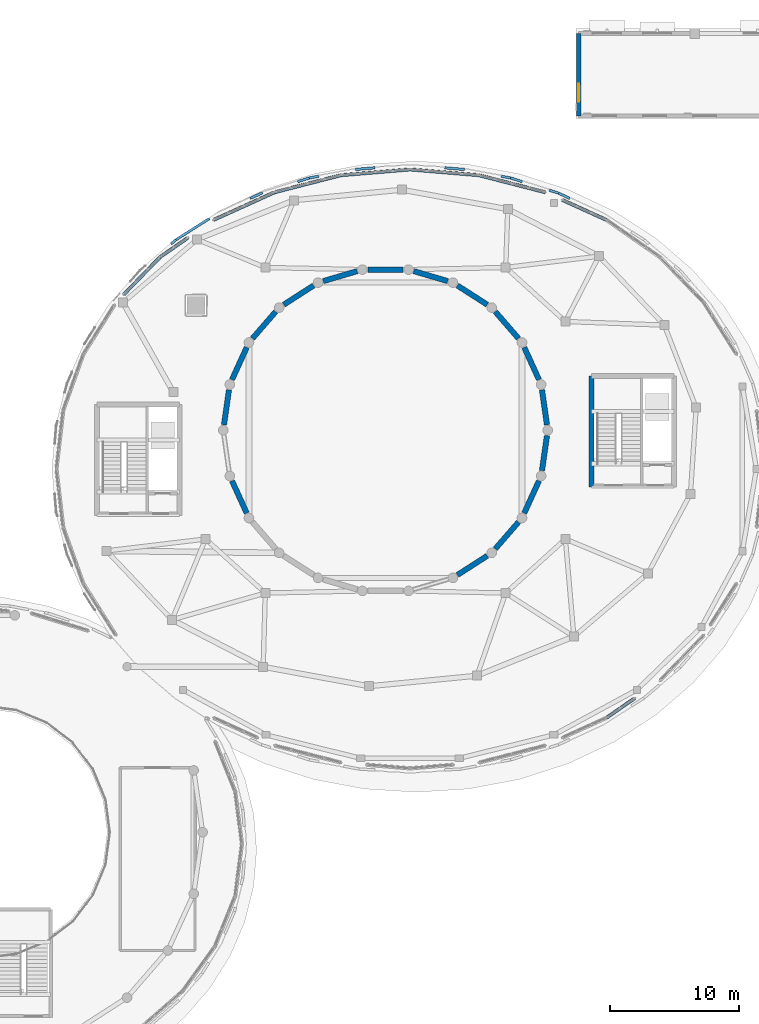
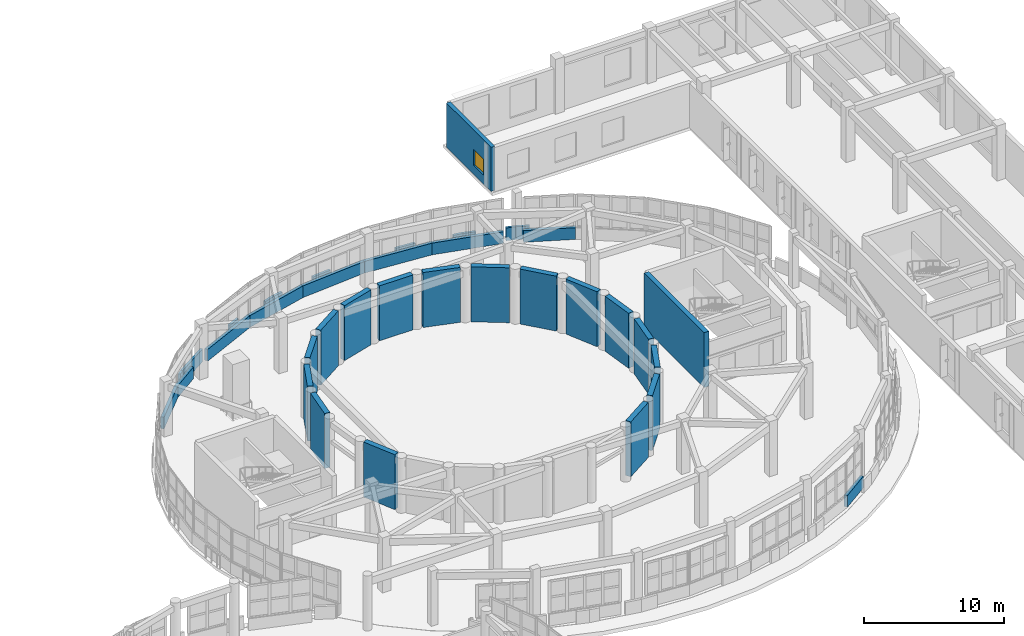
# One storey, part 79 of 98: 38 walls, 1 window, 1 opening.
"""IFC4 building model written with IfcOpenShell, lengths in metres."""

import ifcopenshell
import ifcopenshell.guid

model = None  # the IFC model being written
_history = None  # IfcOwnerHistory: only IFC2X3 demands one
_inside = {}  # id of a spatial element -> (the spatial element, [elements in it])
_under = {}  # id of a project, library or spatial element -> (it, [spatial elements below it])
_declared = {}  # id of a project -> (the project, [libraries it declares])
_typed = {}  # id of a type object -> (the type object, [elements of that type])
_made_of = {}  # id of a material, layer set ... -> (it, [elements and type objects made of it])


def new_model(schema):
    """Start an empty IFC model of exactly this schema.

    Asked for "IFC4X3", IfcOpenShell would pick the latest addendum, in which some entities
    have other attributes; the version numbers below select the first issue.
    IFC2X3 requires an IfcOwnerHistory on every rooted entity: one is made here for all.
    """
    global model, _history
    if schema == "IFC4X3":
        model = ifcopenshell.file(schema_version=(4, 3, 0, 0))
    else:
        model = ifcopenshell.file(schema=schema)
    _inside.clear()
    _under.clear()
    _declared.clear()
    _typed.clear()
    _made_of.clear()
    _history = None
    if model.schema == "IFC2X3":
        org = make("IfcOrganization", Name="unknown")
        user = make(
            "IfcPersonAndOrganization",
            ThePerson=make("IfcPerson", FamilyName="unknown"),
            TheOrganization=org,
        )
        app = make(
            "IfcApplication",
            ApplicationDeveloper=org,
            Version="unknown",
            ApplicationFullName="unknown",
            ApplicationIdentifier="unknown",
        )
        _history = make(
            "IfcOwnerHistory",
            OwningUser=user,
            OwningApplication=app,
            ChangeAction="ADDED",
            CreationDate=0,
        )
    return model


def make(cls, **values):
    """One entity of the class cls with the attributes given. An attribute that is None is left unset."""
    return model.create_entity(
        cls, **{name: value for name, value in values.items() if value is not None}
    )


def rooted(cls, **values):
    """An entity with a GlobalId (a new one), such as an element, a storey or a relation."""
    return make(cls, GlobalId=ifcopenshell.guid.new(), OwnerHistory=_history, **values)


def si_unit(unit_type, name, prefix=None):
    """IfcSIUnit, for example si_unit("LENGTHUNIT", "METRE", prefix="MILLI")."""
    return make("IfcSIUnit", UnitType=unit_type, Prefix=prefix, Name=name)


def assignment(units):
    """IfcUnitAssignment: the units of a project."""
    return None if units is None else make("IfcUnitAssignment", Units=units)


def point(xyz):
    """IfcCartesianPoint."""
    return None if xyz is None else make("IfcCartesianPoint", Coordinates=xyz)


def direction(xyz):
    """IfcDirection."""
    return None if xyz is None else make("IfcDirection", DirectionRatios=xyz)


def frame(location, z_axis=None, x_axis=None):
    """IfcAxis2Placement3D, a coordinate frame: its origin and axes. An axis left out is left unset."""
    return make(
        "IfcAxis2Placement3D",
        Location=point(location),
        Axis=direction(z_axis),
        RefDirection=direction(x_axis),
    )


def frame_2d(location, x_axis=None):
    """IfcAxis2Placement2D, a coordinate frame in the plane: its origin and x axis."""
    return make(
        "IfcAxis2Placement2D", Location=point(location), RefDirection=direction(x_axis)
    )


def origin():
    """The frame at (0, 0, 0) with its axes left unset."""
    return frame((0.0, 0.0, 0.0))


def place(relative_to, where):
    """IfcLocalPlacement: puts the frame where relative to a parent placement (None: the world)."""
    return make(
        "IfcLocalPlacement", PlacementRelTo=relative_to, RelativePlacement=where
    )


def context(
    kind, dimensions, precision=None, world=None, true_north=None, identifier=None
):
    """IfcGeometricRepresentationContext, for example the 3D "Model" context."""
    return make(
        "IfcGeometricRepresentationContext",
        ContextIdentifier=identifier,
        ContextType=kind,
        CoordinateSpaceDimension=dimensions,
        Precision=precision,
        WorldCoordinateSystem=world,
        TrueNorth=true_north,
    )


def subcontext(parent, identifier, kind, view, scale=None):
    """IfcGeometricRepresentationSubContext, for example "Body" below "Model"."""
    return make(
        "IfcGeometricRepresentationSubContext",
        ContextIdentifier=identifier,
        ContextType=kind,
        ParentContext=parent,
        TargetScale=scale,
        TargetView=view,
    )


def project(units=None, contexts=None):
    """IfcProject with its units and contexts."""
    return rooted(
        "IfcProject",
        Name="project",
        RepresentationContexts=contexts,
        UnitsInContext=assignment(units),
    )


def spatial(cls, under=None, at=None, **own):
    """A site, building, storey or space (cls), placed at a placement, below another one or the project."""
    s = rooted(cls, ObjectPlacement=at, **own)
    if under is not None:
        _under.setdefault(under.id(), (under, []))[1].append(s)
    return s


def profile(cls, at=None, kind="AREA", **sizes):
    """A parametric profile (cls). Its sizes go by their IFC names, for example OverallWidth=200.0."""
    return make(cls, ProfileType=kind, Position=at, **sizes)


def rectangle(**sizes):
    """IfcRectangleProfileDef."""
    return profile("IfcRectangleProfileDef", **sizes)


def extrude(swept, where, along, depth):
    """IfcExtrudedAreaSolid: the profile swept, set in the frame where, extruded along a direction by depth."""
    return make(
        "IfcExtrudedAreaSolid",
        SweptArea=swept,
        Position=where,
        ExtrudedDirection=direction(along),
        Depth=depth,
    )


def shape(context_of_items, identifier, shape_type, items):
    """IfcShapeRepresentation: the items that make up one representation, for example the "Body"."""
    return make(
        "IfcShapeRepresentation",
        ContextOfItems=context_of_items,
        RepresentationIdentifier=identifier,
        RepresentationType=shape_type,
        Items=items,
    )


def material(Name=None, Category=None):
    """IfcMaterial."""
    return make("IfcMaterial", Name=Name, Category=Category)


def layer(
    of_material, thickness, ventilated=None, Name=None, Category=None, Priority=None
):
    """IfcMaterialLayer: one layer of a wall or slab, of a material (None: an air gap)."""
    return make(
        "IfcMaterialLayer",
        Material=of_material,
        LayerThickness=thickness,
        IsVentilated=ventilated,
        Name=Name,
        Category=Category,
        Priority=Priority,
    )


def layer_set(layers, Name=None):
    """IfcMaterialLayerSet."""
    return make("IfcMaterialLayerSet", MaterialLayers=layers, LayerSetName=Name)


def made_of(thing, what):
    """Note that an element or type object is made of a material, layer set ...; save() writes the relation."""
    if what is not None:
        _made_of.setdefault(what.id(), (what, []))[1].append(thing)
    return thing


def type_object(cls, material=None, **own):
    """A type object (cls), such as IfcWallType, which elements share."""
    return made_of(rooted(cls, **own), material)


def element(
    cls,
    number,
    at=None,
    inside=None,
    cuts=None,
    type_object=None,
    material=None,
    context=None,
    identifier="Body",
    shape_type=None,
    held_by="IfcProductDefinitionShape",
    body=None,
    shapes=None,
    **own,
):
    """One element of the class cls, such as IfcWall. Its Tag is "e" and its number.

    at: its placement. inside: the storey or other place that contains it. cuts: it is an
    opening in that element (IfcRelVoidsElement). A single representation is given by context,
    identifier, shape_type and body (its items); several are given by shapes. held_by: the class
    of the entity that holds the representations. save() writes the other relations.
    """
    e = rooted(cls, Tag="e%d" % number, ObjectPlacement=at, **own)
    if body is not None:
        shapes = [shape(context, identifier, shape_type, body)]
    if shapes is not None:
        e.Representation = make(held_by, Representations=shapes)
    if inside is not None:
        _inside.setdefault(inside.id(), (inside, []))[1].append(e)
    if cuts is not None:
        rooted(
            "IfcRelVoidsElement", RelatingBuildingElement=cuts, RelatedOpeningElement=e
        )
    if type_object is not None:
        _typed.setdefault(type_object.id(), (type_object, []))[1].append(e)
    return made_of(e, material)


def fill(opening, filler):
    """IfcRelFillsElement: the door or window that sits in an opening."""
    return rooted(
        "IfcRelFillsElement",
        RelatingOpeningElement=opening,
        RelatedBuildingElement=filler,
    )


def aggregate(whole, parts):
    """IfcRelAggregates: a whole, such as a stair, and the parts it consists of."""
    return rooted("IfcRelAggregates", RelatingObject=whole, RelatedObjects=parts)


def save(model, path):
    """Write the relations noted so far, then the file.

    IfcRelAggregates (storeys below a building ...), IfcRelContainedInSpatialStructure (elements
    in a storey), IfcRelDefinesByType, IfcRelAssociatesMaterial and IfcRelDeclares: one each for
    every whole, place, type object, material and project.
    """
    for whole, parts in _under.values():
        aggregate(whole, parts)
    for where, things in _inside.values():
        rooted(
            "IfcRelContainedInSpatialStructure",
            RelatedElements=things,
            RelatingStructure=where,
        )
    for kind, things in _typed.values():
        rooted("IfcRelDefinesByType", RelatedObjects=things, RelatingType=kind)
    for what, things in _made_of.values():
        rooted("IfcRelAssociatesMaterial", RelatedObjects=things, RelatingMaterial=what)
    for by, libraries in _declared.values():
        rooted("IfcRelDeclares", RelatingContext=by, RelatedDefinitions=libraries)
    model.write(path)


model = new_model("IFC4")

# Units and contexts
model_context = context("Model", 3, precision=1e-05, world=origin(), true_north=direction((0.0, 1.0)))
body_context = subcontext(model_context, "Body", "Model", "MODEL_VIEW")
ifc_project = project(units=[si_unit("LENGTHUNIT", "METRE"), si_unit("AREAUNIT", "SQUARE_METRE"), si_unit("VOLUMEUNIT", "CUBIC_METRE"), si_unit("PLANEANGLEUNIT", "RADIAN"), si_unit("MASSUNIT", "GRAM", prefix="KILO")], contexts=[model_context])

# Site, building, storey
site_placement = place(None, origin())
site = spatial("IfcSite", under=ifc_project, at=site_placement, CompositionType="ELEMENT")
building_placement = place(site_placement, origin())
building = spatial("IfcBuilding", under=site, at=building_placement, Name="Pelvatis Terrace Science Centre", CompositionType="ELEMENT")
storey_placement = place(building_placement, frame((0.0, 0.0, 5.39990234375)))
storey = spatial("IfcBuildingStorey", under=building, at=storey_placement, Name="L01", CompositionType="ELEMENT", Elevation=5.39990234375)

# Wall, opening, window
ifc_material_1 = material(Name="Precast concrete C35/45 architectural stone", Category="masonry")
ifc_layer_1 = layer(ifc_material_1, 0.324951171875)
ifc_layer_set_1 = layer_set([ifc_layer_1], Name="Precast concrete C35/45 architectural stone")
wall_type_1 = type_object("IfcWallType", Name="WL-EXT-PREC-325", PredefinedType="SOLIDWALL", material=ifc_layer_set_1)
wall_1_placement = place(storey_placement, frame((124.199951171875, 110.199951171875, 0.0), z_axis=(0.0, 0.0, 1.0), x_axis=(0.0, 1.0, 0.0)))
wall_1 = element("IfcWall", 1, at=wall_1_placement, inside=storey, type_object=wall_type_1, Name="Exterior classical Art Deco facade wall EW-L01-NWW", PredefinedType="SOLIDWALL", context=body_context, shape_type="SweptSolid", body=[
    extrude(rectangle(XDim=6.400146484375, YDim=0.324951171875, at=frame_2d((3.2001953125, 0.0))), origin(), (0.0, 0.0, 1.0), 3.860107421875),
])
opening_placement = place(wall_1_placement, frame((1.10009765625, 0.0, 0.780029296875)))
opening = element("IfcOpeningElement", 2, at=opening_placement, cuts=wall_1, Name="Opening W-042", PredefinedType="OPENING", context=body_context, shape_type="SweptSolid", body=[
    extrude(rectangle(XDim=1.39990234375, YDim=1.39990234375, at=frame_2d((0.699951171875, 0.699951171875))), frame((0.0, 0.17236328125, 0.0), z_axis=(0.0, -1.0, 0.0), x_axis=(1.0, 0.0, 0.0)), (0.0, 0.0, 1.0), 0.344970703125),
])
ifc_material_2 = material(Name="Bronze-anodised aluminium and laminated low-e glass", Category="aluminium")
window_type = type_object("IfcWindowType", Name="WIN-FCR-1400x1400", PartitioningType="SINGLE_PANEL", PredefinedType="WINDOW", material=ifc_material_2)
window_placement = place(opening_placement, origin())
window = element("IfcWindow", 3, at=window_placement, inside=storey, type_object=window_type, Name="Art Deco facade window W-042 (L01)", OverallHeight=1.39990234375, OverallWidth=1.39990234375, PartitioningType="SINGLE_PANEL", PredefinedType="WINDOW", context=body_context, shape_type="SweptSolid", body=[
    extrude(rectangle(XDim=1.39990234375, YDim=1.39990234375, at=frame_2d((0.699951171875, 0.699951171875))), frame((0.0, 0.030029296875, 0.0), z_axis=(0.0, -1.0, 0.0), x_axis=(1.0, 0.0, 0.0)), (0.0, 0.0, 1.0), 0.06005859375),
])
fill(opening, window)

# Walls
ifc_material_3 = material(Name="White architectural precast concrete C40/50 spandrel", Category="concrete")
ifc_layer_2 = layer(ifc_material_3, 0.260009765625)
ifc_layer_set_2 = layer_set([ifc_layer_2], Name="White architectural precast concrete C40/50 spandrel")
wall_type_2 = type_object("IfcWallType", Name="WL-EXT-SPND-260", PredefinedType="SOLIDWALL", material=ifc_layer_set_2)
wall_2_placement = place(storey_placement, frame((126.350341796875, 102.131591796875, 0.0), z_axis=(0.0, 0.0, 1.0), x_axis=(-0.910964318676, 0.41248516349, 0.0)))
element("IfcWall", 4, at=wall_2_placement, inside=storey, type_object=wall_type_2, Name="V1 white spiral spandrel band 06 (L01)", PredefinedType="SOLIDWALL", context=body_context, shape_type="SweptSolid", body=[
    extrude(rectangle(XDim=3.756103515625, YDim=0.260009765625, at=frame_2d((1.8779296875, 0.0))), origin(), (0.0, 0.0, 1.0), 1.02001953125),
])
wall_3_placement = place(storey_placement, frame((121.604736328125, 104.2802734375, 0.0), z_axis=(0.0, 0.0, 1.0), x_axis=(-0.968547335952, 0.248829375315, 0.0)))
element("IfcWall", 5, at=wall_3_placement, inside=storey, type_object=wall_type_2, Name="V1 white spiral spandrel band 07 (L01)", PredefinedType="SOLIDWALL", context=body_context, shape_type="SweptSolid", body=[
    extrude(rectangle(XDim=5.31689453125, YDim=0.260009765625, at=frame_2d((2.658447265625, 0.0))), origin(), (0.0, 0.0, 1.0), 1.02001953125),
])
wall_4_placement = place(storey_placement, frame((116.455078125, 105.603271484375, 0.0), z_axis=(0.0, 0.0, 1.0), x_axis=(-0.99653760676, 0.083143239736, 0.0)))
element("IfcWall", 6, at=wall_4_placement, inside=storey, type_object=wall_type_2, Name="V1 white spiral spandrel band 08 (L01)", PredefinedType="SOLIDWALL", context=body_context, shape_type="SweptSolid", body=[
    extrude(rectangle(XDim=5.37353515625, YDim=0.260009765625, at=frame_2d((2.686767578125, 0.0))), origin(), (0.0, 0.0, 1.0), 1.02001953125),
])
wall_5_placement = place(storey_placement, frame((111.10009765625, 106.050048828125, 0.0), z_axis=(0.0, 0.0, 1.0), x_axis=(-0.996537920811, -0.0831394755, 0.0)))
element("IfcWall", 7, at=wall_5_placement, inside=storey, type_object=wall_type_2, Name="V1 white spiral spandrel band 09 (L01)", PredefinedType="SOLIDWALL", context=body_context, shape_type="SweptSolid", body=[
    extrude(rectangle(XDim=5.373779296875, YDim=0.260009765625, at=frame_2d((2.68701171875, 0.0))), origin(), (0.0, 0.0, 1.0), 1.02001953125),
])
wall_6_placement = place(storey_placement, frame((105.744873046875, 105.603271484375, 0.0), z_axis=(0.0, 0.0, 1.0), x_axis=(-0.968547335952, -0.248829375315, 0.0)))
element("IfcWall", 8, at=wall_6_placement, inside=storey, type_object=wall_type_2, Name="V1 white spiral spandrel band 10 (L01)", PredefinedType="SOLIDWALL", context=body_context, shape_type="SweptSolid", body=[
    extrude(rectangle(XDim=5.31689453125, YDim=0.260009765625, at=frame_2d((2.658447265625, 0.0))), origin(), (0.0, 0.0, 1.0), 1.02001953125),
])
wall_7_placement = place(storey_placement, frame((100.59521484375, 104.2802734375, 0.0), z_axis=(0.0, 0.0, 1.0), x_axis=(-0.910973783834, -0.412464259261, 0.0)))
element("IfcWall", 9, at=wall_7_placement, inside=storey, type_object=wall_type_2, Name="V1 white spiral spandrel band 11 (L01)", PredefinedType="SOLIDWALL", context=body_context, shape_type="SweptSolid", body=[
    extrude(rectangle(XDim=5.20947265625, YDim=0.260009765625, at=frame_2d((2.604736328125, 0.0))), origin(), (0.0, 0.0, 1.0), 1.02001953125),
])
wall_8_placement = place(storey_placement, frame((93.868896484375, 100.7548828125, 0.0), z_axis=(0.0, 0.0, 1.0), x_axis=(-0.821107669254, -0.570773331098, 0.0)))
element("IfcWall", 10, at=wall_8_placement, inside=storey, type_object=wall_type_2, Name="V1 white spiral spandrel band 12 (L01)", PredefinedType="SOLIDWALL", context=body_context, shape_type="SweptSolid", body=[
    extrude(rectangle(XDim=2.653564453125, YDim=0.260009765625, at=frame_2d((1.32666015625, 0.0))), origin(), (0.0, 0.0, 1.0), 1.02001953125),
])
wall_9_placement = place(storey_placement, frame((91.68994140625, 99.240234375, 0.0), z_axis=(0.0, 0.0, 1.0), x_axis=(-0.69587527134, -0.718162660361, 0.0)))
element("IfcWall", 11, at=wall_9_placement, inside=storey, type_object=wall_type_2, Name="V1 white spiral spandrel band 13 (L01)", PredefinedType="SOLIDWALL", context=body_context, shape_type="SweptSolid", body=[
    extrude(rectangle(XDim=4.03125, YDim=0.260009765625, at=frame_2d((2.015625, 0.0))), origin(), (0.0, 0.0, 1.0), 1.02001953125),
])
wall_10_placement = place(storey_placement, frame((126.350341796875, 63.46826171875, 0.0), z_axis=(0.0, 0.0, 1.0), x_axis=(0.821120161873, 0.570755358945, 0.0)))
element("IfcWall", 12, at=wall_10_placement, inside=storey, type_object=wall_type_2, Name="V1 white spiral spandrel band 28 (L01)", PredefinedType="SOLIDWALL", context=body_context, shape_type="SweptSolid", body=[
    extrude(rectangle(XDim=2.6845703125, YDim=0.260009765625, at=frame_2d((1.34228515625, 0.0))), origin(), (0.0, 0.0, 1.0), 1.02001953125),
])
ifc_material_4 = material(Name="White architectural precast concrete C40/50 spandrel parapet", Category="concrete")
ifc_layer_3 = layer(ifc_material_4, 0.18994140625)
ifc_layer_set_3 = layer_set([ifc_layer_3], Name="White architectural precast concrete C40/50 spandrel parapet")
wall_type_3 = type_object("IfcWallType", Name="WL-PAR-190", PredefinedType="PARAPET", material=ifc_layer_set_3)
wall_11_placement = place(storey_placement, frame((92.550537109375, 100.2646484375, 0.0), z_axis=(0.0, 0.0, 1.0), x_axis=(0.76228952154, 0.647236189772, 0.0)))
element("IfcWall", 13, at=wall_11_placement, inside=storey, type_object=wall_type_3, Name="Perimeter edge closure parapet PW-EDG-L01-126", PredefinedType="PARAPET", context=body_context, shape_type="SweptSolid", body=[
    extrude(rectangle(XDim=0.498779296875, YDim=0.18994140625, at=frame_2d((0.24951171875, 0.0))), origin(), (0.0, 0.0, 1.0), 1.1201171875),
])
wall_12_placement = place(storey_placement, frame((92.9306640625, 100.58740234375, 0.0), z_axis=(0.0, 0.0, 1.0), x_axis=(0.844012783406, 0.536323056979, 0.0)))
element("IfcWall", 14, at=wall_12_placement, inside=storey, type_object=wall_type_3, Name="Perimeter edge closure parapet PW-EDG-L01-127", PredefinedType="PARAPET", context=body_context, shape_type="SweptSolid", body=[
    extrude(rectangle(XDim=3.060302734375, YDim=0.18994140625, at=frame_2d((1.5302734375, 0.0))), origin(), (0.0, 0.0, 1.0), 1.1201171875),
])
wall_13_placement = place(storey_placement, frame((98.688720703125, 103.80126953125, 0.0), z_axis=(0.0, 0.0, 1.0), x_axis=(0.911043345109, 0.412310590857, 0.0)))
element("IfcWall", 15, at=wall_13_placement, inside=storey, type_object=wall_type_3, Name="Perimeter edge closure parapet PW-EDG-L01-128", PredefinedType="PARAPET", context=body_context, shape_type="SweptSolid", body=[
    extrude(rectangle(XDim=1.048095703125, YDim=0.18994140625, at=frame_2d((0.52392578125, 0.0))), origin(), (0.0, 0.0, 1.0), 1.1201171875),
])
wall_14_placement = place(storey_placement, frame((102.3828125, 105.100830078125, 0.0), z_axis=(0.0, 0.0, 1.0), x_axis=(0.953336020357, 0.301911298713, 0.0)))
element("IfcWall", 16, at=wall_14_placement, inside=storey, type_object=wall_type_3, Name="Perimeter edge closure parapet PW-EDG-L01-129", PredefinedType="PARAPET", context=body_context, shape_type="SweptSolid", body=[
    extrude(rectangle(XDim=0.943603515625, YDim=0.18994140625, at=frame_2d((0.4716796875, 0.0))), origin(), (0.0, 0.0, 1.0), 1.1201171875),
])
wall_15_placement = place(storey_placement, frame((103.282470703125, 105.3857421875, 0.0), z_axis=(0.0, 0.0, 1.0), x_axis=(0.983380405717, 0.181557091989, 0.0)))
element("IfcWall", 17, at=wall_15_placement, inside=storey, type_object=wall_type_3, Name="Perimeter edge closure parapet PW-EDG-L01-130", PredefinedType="PARAPET", context=body_context, shape_type="SweptSolid", body=[
    extrude(rectangle(XDim=0.755615234375, YDim=0.18994140625, at=frame_2d((0.3779296875, 0.0))), origin(), (0.0, 0.0, 1.0), 1.1201171875),
])
for number, where, z_axis, x_axis, name in (
    (18, (106.87109375, 106.048583984375, 0.0), (0.0, 0.0, 1.0), (0.996551248128, 0.08297957492, 0.0), "Perimeter edge closure parapet PW-EDG-L01-131"),
    (19, (113.80126953125, 106.17578125, 0.0), (0.0, 0.0, 1.0), (0.996551248128, -0.08297957492, 0.0), "Perimeter edge closure parapet PW-EDG-L01-132"),
):
    element("IfcWall", number, at=place(storey_placement, frame(where, z_axis=z_axis, x_axis=x_axis)), inside=storey, type_object=wall_type_3, Name=name, PredefinedType="PARAPET", context=body_context, shape_type="SweptSolid", body=[
        extrude(rectangle(XDim=1.532958984375, YDim=0.18994140625, at=frame_2d((0.7666015625, 0.0))), origin(), (0.0, 0.0, 1.0), 1.1201171875),
    ])
wall_16_placement = place(storey_placement, frame((118.17431640625, 105.52294921875, 0.0), z_axis=(0.0, 0.0, 1.0), x_axis=(0.983380405717, -0.181557091989, 0.0)))
element("IfcWall", 20, at=wall_16_placement, inside=storey, type_object=wall_type_3, Name="Perimeter edge closure parapet PW-EDG-L01-133", PredefinedType="PARAPET", context=body_context, shape_type="SweptSolid", body=[
    extrude(rectangle(XDim=0.755615234375, YDim=0.18994140625, at=frame_2d((0.3779296875, 0.0))), origin(), (0.0, 0.0, 1.0), 1.1201171875),
])
wall_17_placement = place(storey_placement, frame((118.91748046875, 105.3857421875, 0.0), z_axis=(0.0, 0.0, 1.0), x_axis=(0.953336020357, -0.301911298713, 0.0)))
element("IfcWall", 21, at=wall_17_placement, inside=storey, type_object=wall_type_3, Name="Perimeter edge closure parapet PW-EDG-L01-134", PredefinedType="PARAPET", context=body_context, shape_type="SweptSolid", body=[
    extrude(rectangle(XDim=0.943603515625, YDim=0.18994140625, at=frame_2d((0.4716796875, 0.0))), origin(), (0.0, 0.0, 1.0), 1.1201171875),
])
wall_18_placement = place(storey_placement, frame((121.91796875, 104.435791015625, 0.0), z_axis=(0.0, 0.0, 1.0), x_axis=(0.953274470255, -0.302105584786, 0.0)))
element("IfcWall", 22, at=wall_18_placement, inside=storey, type_object=wall_type_3, Name="Perimeter edge closure parapet PW-EDG-L01-135", PredefinedType="PARAPET", context=body_context, shape_type="SweptSolid", body=[
    extrude(rectangle(XDim=0.743408203125, YDim=0.18994140625, at=frame_2d((0.37158203125, 0.0))), origin(), (0.0, 0.0, 1.0), 1.1201171875),
])
wall_19_placement = place(storey_placement, frame((122.626708984375, 104.211181640625, 0.0), z_axis=(0.0, 0.0, 1.0), x_axis=(0.907268626337, -0.420551589777, 0.0)))
element("IfcWall", 23, at=wall_19_placement, inside=storey, type_object=wall_type_3, Name="Perimeter edge closure parapet PW-EDG-L01-136", PredefinedType="PARAPET", context=body_context, shape_type="SweptSolid", body=[
    extrude(rectangle(XDim=0.97412109375, YDim=0.18994140625, at=frame_2d((0.487060546875, 0.0))), origin(), (0.0, 0.0, 1.0), 1.1201171875),
])
ifc_material_5 = material(Name="Concrete C40/50", Category="concrete")
ifc_layer_4 = layer(ifc_material_5, 0.3798828125)
ifc_layer_set_4 = layer_set([ifc_layer_4], Name="Concrete C40/50")
wall_type_4 = type_object("IfcWallType", Name="WL-SHR-380", PredefinedType="SHEAR", material=ifc_layer_set_4)
wall_20_placement = place(storey_placement, frame((125.199951171875, 81.39990234375, 0.0), z_axis=(0.0, 0.0, 1.0), x_axis=(0.0, 1.0, 0.0)))
element("IfcWall", 24, at=wall_20_placement, inside=storey, type_object=wall_type_4, Name="Core C2 shear wall W (L01)", PredefinedType="SHEAR", context=body_context, shape_type="SweptSolid", body=[
    extrude(rectangle(XDim=8.60009765625, YDim=0.3798828125, at=frame_2d((4.300048828125, 0.0))), origin(), (0.0, 0.0, 1.0), 4.800048828125),
])
ifc_material_6 = material(Name="Concrete C40/50", Category="concrete")
ifc_layer_5 = layer(ifc_material_6, 0.419921875)
ifc_layer_set_5 = layer_set([ifc_layer_5], Name="Concrete C40/50")
wall_type_5 = type_object("IfcWallType", Name="WL-SHR-420", PredefinedType="SHEAR", material=ifc_layer_set_5)
for number, where, z_axis, x_axis, name in (
    (25, (121.740234375, 86.2158203125, 0.0), (0.0, 0.0, 1.0), (-0.142329860809, 0.98981928185, 0.0), "Planetarium shear drum wall 01 (L01)"),
    (26, (121.114990234375, 89.731689453125, 0.0), (0.0, 0.0, 1.0), (-0.415322734661, 0.909674131804, 0.0), "Planetarium shear drum wall 02 (L01)"),
    (27, (119.52490234375, 92.929443359375, 0.0), (0.0, 0.0, 1.0), (-0.654903462799, 0.755712547476, 0.0), "Planetarium shear drum wall 03 (L01)"),
):
    element("IfcWall", number, at=place(storey_placement, frame(where, z_axis=z_axis, x_axis=x_axis)), inside=storey, type_object=wall_type_5, Name=name, PredefinedType="SHEAR", context=body_context, shape_type="SweptSolid", body=[
        extrude(rectangle(XDim=2.746337890625, YDim=0.419921875, at=frame_2d((1.373046875, 0.0))), origin(), (0.0, 0.0, 1.0), 4.800048828125),
    ])
wall_21_placement = place(storey_placement, frame((117.097900390625, 95.549560546875, 0.0), z_axis=(0.0, 0.0, 1.0), x_axis=(-0.841273782563, 0.54060930696, 0.0)))
element("IfcWall", 28, at=wall_21_placement, inside=storey, type_object=wall_type_5, Name="Planetarium shear drum wall 04 (L01)", PredefinedType="SHEAR", context=body_context, shape_type="SweptSolid", body=[
    extrude(rectangle(XDim=2.74609375, YDim=0.419921875, at=frame_2d((1.373046875, 0.0))), origin(), (0.0, 0.0, 1.0), 4.800048828125),
])
for number, where, z_axis, x_axis, name in (
    (29, (114.03125, 97.379638671875, 0.0), (0.0, 0.0, 1.0), (-0.959471601157, 0.281805334538, 0.0), "Planetarium shear drum wall 05 (L01)"),
    (30, (110.5732421875, 98.271728515625, 0.0), (0.0, 0.0, 1.0), (-1.0, 0.0, 0.0), "Planetarium shear drum wall 06 (L01)"),
    (31, (107.00390625, 98.153564453125, 0.0), (0.0, 0.0, 1.0), (-0.959471601157, -0.281805334538, 0.0), "Planetarium shear drum wall 07 (L01)"),
    (32, (103.612548828125, 97.0341796875, 0.0), (0.0, 0.0, 1.0), (-0.841299761826, -0.540568876972, 0.0), "Planetarium shear drum wall 08 (L01)"),
    (33, (100.673828125, 95.0048828125, 0.0), (0.0, 0.0, 1.0), (-0.654903462799, -0.755712547476, 0.0), "Planetarium shear drum wall 09 (L01)"),
    (34, (98.42578125, 92.22998046875, 0.0), (0.0, 0.0, 1.0), (-0.415396292762, -0.909640544369, 0.0), "Planetarium shear drum wall 10 (L01)"),
):
    element("IfcWall", number, at=place(storey_placement, frame(where, z_axis=z_axis, x_axis=x_axis)), inside=storey, type_object=wall_type_5, Name=name, PredefinedType="SHEAR", context=body_context, shape_type="SweptSolid", body=[
        extrude(rectangle(XDim=2.746337890625, YDim=0.419921875, at=frame_2d((1.373046875, 0.0))), origin(), (0.0, 0.0, 1.0), 4.800048828125),
    ])
wall_22_placement = place(storey_placement, frame((97.050537109375, 88.93408203125, 0.0), z_axis=(0.0, 0.0, 1.0), x_axis=(-0.142242759485, -0.989831802568, 0.0)))
element("IfcWall", 35, at=wall_22_placement, inside=storey, type_object=wall_type_5, Name="Planetarium shear drum wall 11 (L01)", PredefinedType="SHEAR", context=body_context, shape_type="SweptSolid", body=[
    extrude(rectangle(XDim=2.74609375, YDim=0.419921875, at=frame_2d((1.373046875, 0.0))), origin(), (0.0, 0.0, 1.0), 4.800048828125),
])
for number, where, z_axis, x_axis, name in (
    (36, (97.284912109375, 81.8681640625, 0.0), (0.0, 0.0, 1.0), (0.415396292762, -0.909640544369, 0.0), "Planetarium shear drum wall 13 (L01)"),
    (37, (114.78759765625, 74.565673828125, 0.0), (0.0, 0.0, 1.0), (0.841233349766, 0.540672221629, 0.0), "Planetarium shear drum wall 19 (L01)"),
    (38, (117.726318359375, 76.594970703125, 0.0), (0.0, 0.0, 1.0), (0.654903462799, 0.755712547476, 0.0), "Planetarium shear drum wall 20 (L01)"),
    (39, (119.974365234375, 79.369873046875, 0.0), (0.0, 0.0, 1.0), (0.415322734661, 0.909674131804, 0.0), "Planetarium shear drum wall 21 (L01)"),
    (40, (121.349365234375, 82.666015625, 0.0), (0.0, 0.0, 1.0), (0.142329860809, 0.98981928185, 0.0), "Planetarium shear drum wall 22 (L01)"),
):
    element("IfcWall", number, at=place(storey_placement, frame(where, z_axis=z_axis, x_axis=x_axis)), inside=storey, type_object=wall_type_5, Name=name, PredefinedType="SHEAR", context=body_context, shape_type="SweptSolid", body=[
        extrude(rectangle(XDim=2.746337890625, YDim=0.419921875, at=frame_2d((1.373046875, 0.0))), origin(), (0.0, 0.0, 1.0), 4.800048828125),
    ])

save(model, "model.ifc")
